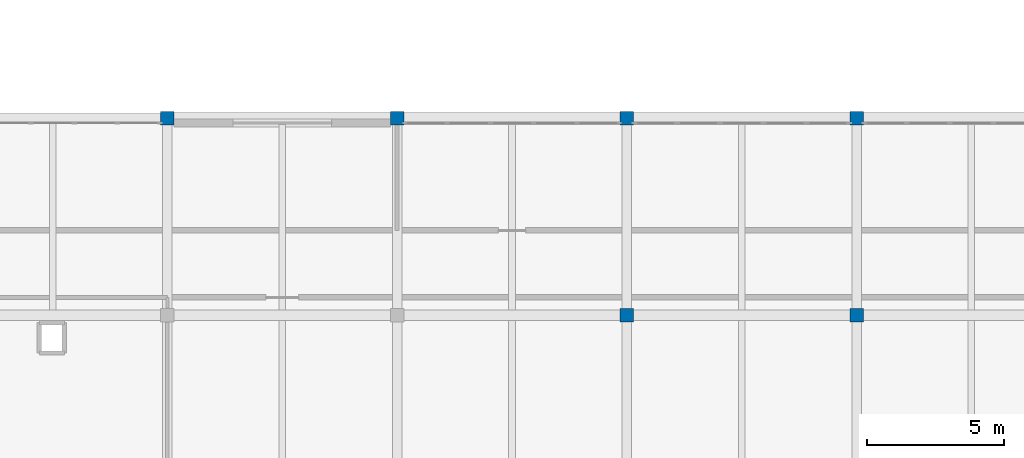
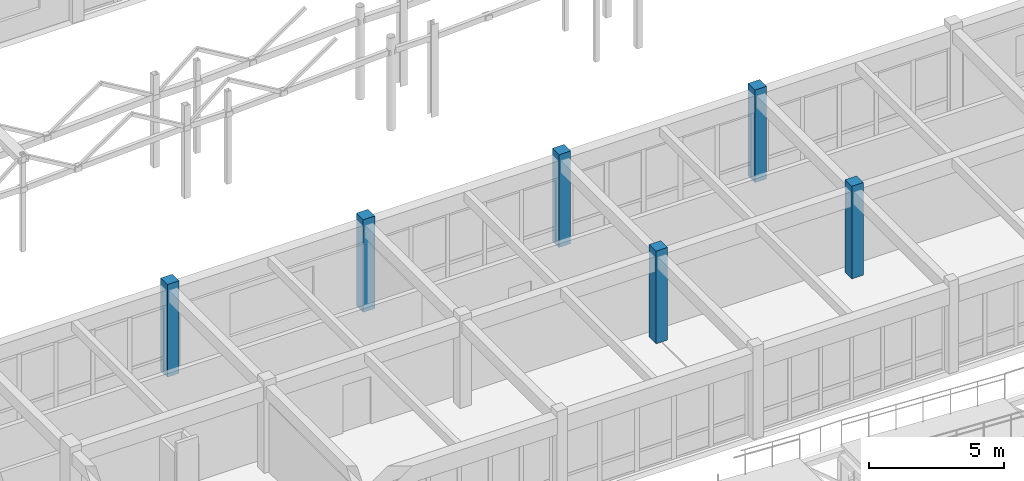
# One storey, part 6 of 89: 6 columns.
"""IFC4 building model written with IfcOpenShell, lengths in metres."""

from ifc_helpers import new_model, si_unit, direction, frame, origin, origin_2d, place, context, subcontext, project, spatial, rectangle, extrude, material, material_profile, profile_set, type_object, element, save


model = new_model("IFC4")

# Units and contexts
model_context = context("Model", 3, precision=1e-05, world=origin(), true_north=direction((0.0, 1.0)))
body_context = subcontext(model_context, "Body", "Model", "MODEL_VIEW")
ifc_project = project(units=[si_unit("LENGTHUNIT", "METRE"), si_unit("AREAUNIT", "SQUARE_METRE"), si_unit("VOLUMEUNIT", "CUBIC_METRE"), si_unit("PLANEANGLEUNIT", "RADIAN"), si_unit("MASSUNIT", "GRAM", prefix="KILO")], contexts=[model_context])

# Site, building, storey
site_placement = place(None, origin())
site = spatial("IfcSite", under=ifc_project, at=site_placement, CompositionType="ELEMENT")
building_placement = place(site_placement, origin())
building = spatial("IfcBuilding", under=site, at=building_placement, Name="Malvenik Polytechnic", CompositionType="ELEMENT")
storey_placement = place(building_placement, frame((0.0, 0.0, 13.5)))
storey = spatial("IfcBuildingStorey", under=building, at=storey_placement, Name="L03", CompositionType="ELEMENT", Elevation=13.5)

# Columns
ifc_material = material(Name="Concrete C35/45", Category="concrete")
ifc_material_profile = material_profile(ifc_material, rectangle(XDim=0.5, YDim=0.5, at=origin_2d()), Name="RC COL 500x500")
ifc_profile_set = profile_set([ifc_material_profile], Name="Concrete C35/45")
column_type = type_object("IfcColumnType", Name="STR-COL-C-08", PredefinedType="COLUMN", material=ifc_profile_set)
for number, where, z_axis, x_axis, name in (
    (1, (33.60009765625, 93.60009765625, 0.0), (0.0, 0.0, 1.0), (1.0, 0.0, 0.0), "Column C-08 L03 (33.6,93.6)"),
    (2, (42.0, 93.60009765625, 0.0), (0.0, 0.0, 1.0), (1.0, 0.0, 0.0), "Column C-08 L03 (42.0,93.6)"),
    (3, (50.39990234375, 86.39990234375, 0.0), (0.0, 0.0, 1.0), (1.0, 0.0, 0.0), "Column C-08 L03 (50.4,86.4)"),
    (4, (50.39990234375, 93.60009765625, 0.0), (0.0, 0.0, 1.0), (1.0, 0.0, 0.0), "Column C-08 L03 (50.4,93.6)"),
    (5, (58.800048828125, 86.39990234375, 0.0), (0.0, 0.0, 1.0), (1.0, 0.0, 0.0), "Column C-08 L03 (58.8,86.4)"),
    (6, (58.800048828125, 93.60009765625, 0.0), (0.0, 0.0, 1.0), (1.0, 0.0, 0.0), "Column C-08 L03 (58.8,93.6)"),
):
    element("IfcColumn", number, at=place(storey_placement, frame(where, z_axis=z_axis, x_axis=x_axis)), inside=storey, type_object=column_type, Name=name, PredefinedType="COLUMN", context=body_context, shape_type="SweptSolid", body=[
        extrude(rectangle(XDim=0.5, YDim=0.5, at=origin_2d()), origin(), (0.0, 0.0, 1.0), 4.199951171875),
    ])

save(model, "model.ifc")
